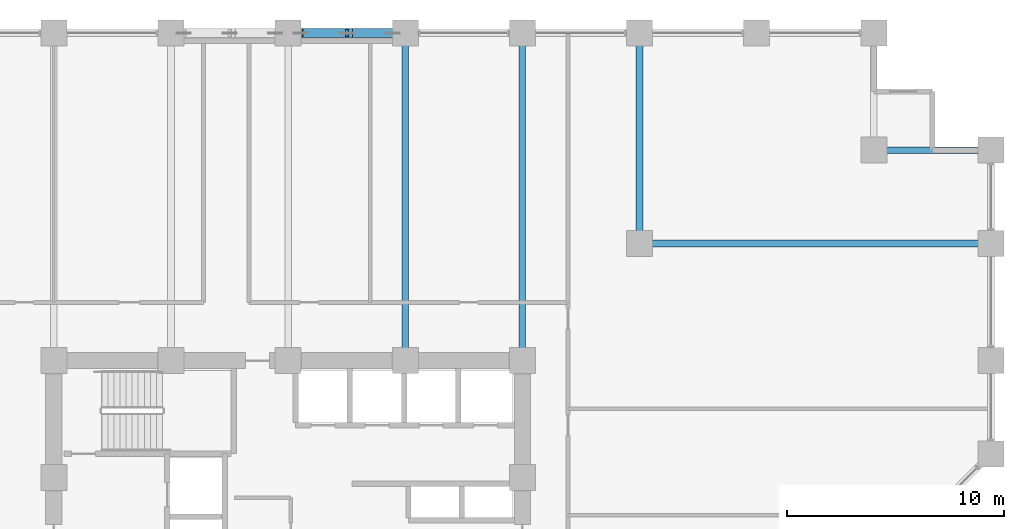
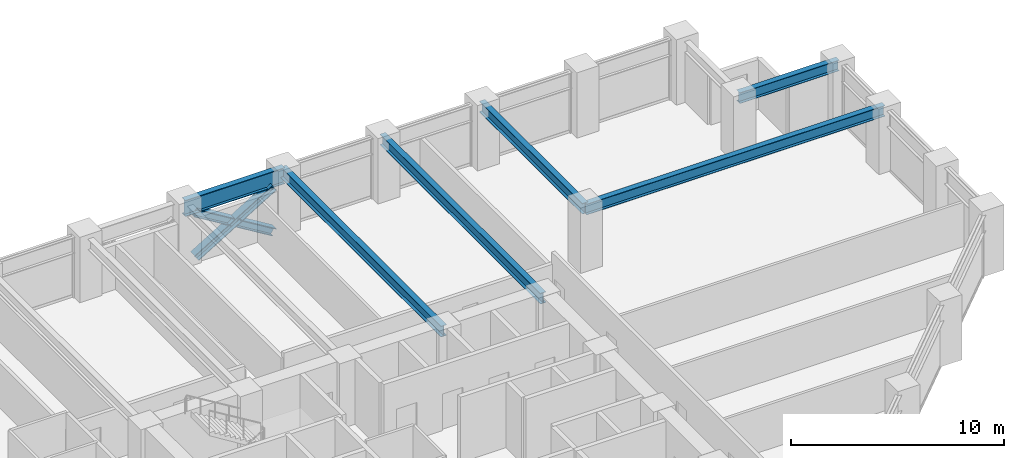
# One storey, part 14 of 26: 6 beams, 3 members.
"""IFC4 building model written with IfcOpenShell, lengths in metres."""

from ifc_helpers import new_model, si_unit, direction, frame, origin, origin_2d, place, context, subcontext, project, spatial, i_section, extrude, material, material_profile, profile_set, type_object, element, save


model = new_model("IFC4")

# Units and contexts
model_context = context("Model", 3, precision=1e-05, world=origin(), true_north=direction((0.0, 1.0)))
body_context = subcontext(model_context, "Body", "Model", "MODEL_VIEW")
ifc_project = project(units=[si_unit("LENGTHUNIT", "METRE"), si_unit("AREAUNIT", "SQUARE_METRE"), si_unit("VOLUMEUNIT", "CUBIC_METRE"), si_unit("PLANEANGLEUNIT", "RADIAN"), si_unit("MASSUNIT", "GRAM", prefix="KILO")], contexts=[model_context])

# Site, building, storey
site_placement = place(None, origin())
site = spatial("IfcSite", under=ifc_project, at=site_placement, CompositionType="ELEMENT")
building_placement = place(site_placement, origin())
building = spatial("IfcBuilding", under=site, at=building_placement, Name="Surkhivell Harbour Commons", CompositionType="ELEMENT")
storey_placement = place(building_placement, frame((0.0, 0.0, 75.0)))
storey = spatial("IfcBuildingStorey", under=building, at=storey_placement, Name="L19", CompositionType="ELEMENT", Elevation=75.0)

# Beams
ifc_material_1 = material(Name="Steel S355", Category="steel")
ifc_material_profile_1 = material_profile(ifc_material_1, i_section(OverallWidth=0.306884765625, OverallDepth=0.6201171875, WebThickness=0.01416015625, FlangeThickness=0.023681640625, at=origin_2d()), Name="UB610x305x179")
ifc_profile_set_1 = profile_set([ifc_material_profile_1], Name="Steel S355")
beam_type_1 = type_object("IfcBeamType", Name="BM-GRD-610A", PredefinedType="BEAM", material=ifc_profile_set_1)
for number, where, z_axis, x_axis, name in (
    (1, (5.39990234375, 10.800048828125, 3.18994140625), (0.0, 1.0, 0.0), (-1.0, 0.0, 0.0), "L19 Floor Girder (5.4,10.8)"),
    (2, (10.800048828125, 10.800048828125, 3.18994140625), (0.0, 1.0, 0.0), (-1.0, 0.0, 0.0), "L19 Floor Girder (10.8,10.8)"),
):
    element("IfcBeam", number, at=place(storey_placement, frame(where, z_axis=z_axis, x_axis=x_axis)), inside=storey, type_object=beam_type_1, Name=name, PredefinedType="BEAM", context=body_context, shape_type="SweptSolid", body=[
        extrude(i_section(OverallWidth=0.306884765625, OverallDepth=0.6201171875, WebThickness=0.01416015625, FlangeThickness=0.023681640625, at=origin_2d()), origin(), (0.0, 0.0, 1.0), 15.099853515625),
    ])
beam_1_placement = place(storey_placement, frame((16.199951171875, 16.199951171875, 3.18994140625), z_axis=(0.0, 1.0, 0.0), x_axis=(-1.0, 0.0, 0.0)))
element("IfcBeam", 3, at=beam_1_placement, inside=storey, type_object=beam_type_1, Name="L19 Floor Girder (16.2,16.2)", PredefinedType="BEAM", context=body_context, shape_type="SweptSolid", body=[
    extrude(i_section(OverallWidth=0.306884765625, OverallDepth=0.6201171875, WebThickness=0.01416015625, FlangeThickness=0.023681640625, at=origin_2d()), origin(), (0.0, 0.0, 1.0), 9.699951171875),
])
beam_2_placement = place(storey_placement, frame((16.199951171875, 16.199951171875, 3.18994140625), z_axis=(1.0, 0.0, 0.0), x_axis=(0.0, 1.0, 0.0)))
element("IfcBeam", 4, at=beam_2_placement, inside=storey, type_object=beam_type_1, Name="L19 Floor Girder (16.2,16.2)", PredefinedType="BEAM", context=body_context, shape_type="SweptSolid", body=[
    extrude(i_section(OverallWidth=0.306884765625, OverallDepth=0.6201171875, WebThickness=0.01416015625, FlangeThickness=0.023681640625, at=origin_2d()), origin(), (0.0, 0.0, 1.0), 16.199951171875),
])
beam_3_placement = place(storey_placement, frame((27.0, 20.5, 3.18994140625), z_axis=(1.0, 0.0, 0.0), x_axis=(0.0, 1.0, 0.0)))
element("IfcBeam", 5, at=beam_3_placement, inside=storey, type_object=beam_type_1, Name="L19 Floor Girder (27.0,20.5)", PredefinedType="BEAM", context=body_context, shape_type="SweptSolid", body=[
    extrude(i_section(OverallWidth=0.306884765625, OverallDepth=0.6201171875, WebThickness=0.01416015625, FlangeThickness=0.023681640625, at=origin_2d()), origin(), (0.0, 0.0, 1.0), 5.39990234375),
])
ifc_material_2 = material(Name="Steel S460", Category="steel")
ifc_material_profile_2 = material_profile(ifc_material_2, i_section(OverallWidth=0.30810546875, OverallDepth=0.927001953125, WebThickness=0.01953125, FlangeThickness=0.031982421875, at=origin_2d()), Name="UB914x305x289")
ifc_profile_set_2 = profile_set([ifc_material_profile_2], Name="Steel S460")
beam_type_2 = type_object("IfcBeamType", Name="BM-SPN-914B", PredefinedType="SPANDREL", material=ifc_profile_set_2)
beam_4_placement = place(storey_placement, frame((0.0, 25.89990234375, 3.03662109375), z_axis=(1.0, 0.0, 0.0), x_axis=(0.0, 1.0, 0.0)))
element("IfcBeam", 6, at=beam_4_placement, inside=storey, type_object=beam_type_2, Name="L19 Tube Spandrel (-0.0,25.9)", PredefinedType="SPANDREL", context=body_context, shape_type="SweptSolid", body=[
    extrude(i_section(OverallWidth=0.30810546875, OverallDepth=0.927001953125, WebThickness=0.01953125, FlangeThickness=0.031982421875, at=origin_2d()), origin(), (0.0, 0.0, 1.0), 5.39990234375),
])

# Members
ifc_material_profile_3 = material_profile(ifc_material_2, i_section(OverallWidth=0.406005859375, OverallDepth=0.416015625, WebThickness=0.026611328125, FlangeThickness=0.0390625, at=origin_2d()), Name="HD400x382")
ifc_profile_set_3 = profile_set([ifc_material_profile_3], Name="Steel S460")
member_type = type_object("IfcMemberType", Name="MEM-BRC-HD382", PredefinedType="BRACE", material=ifc_profile_set_3)
member_placement = place(storey_placement, frame((0.5849609375, 25.89990234375, 0.008056640625), z_axis=(0.854729672163, 0.0, 0.519073393195), x_axis=(0.0, 1.0, 0.0)))
element("IfcMember", 7, at=member_placement, inside=storey, type_object=member_type, Name="L19 Perimeter Mega-Brace MB- 04", PredefinedType="BRACE", context=body_context, shape_type="SweptSolid", body=[
    extrude(i_section(OverallWidth=0.406005859375, OverallDepth=0.416015625, WebThickness=0.026611328125, FlangeThickness=0.0390625, at=origin_2d()), origin(), (0.0, 0.0, 1.0), 4.948974609375),
])
for number, where, z_axis, x_axis, name in (
    (8, (4.81494140625, 25.89990234375, 0.008056640625), (-0.85475350478, 0.0, 0.519034147302), (0.0, -1.0, 0.0), "L19 Perimeter Mega-Brace MB- 05"),
    (9, (2.529296875, 25.89990234375, 1.396240234375), (-0.85475350478, 0.0, 0.519034147302), (0.0, -1.0, 0.0), "L19 Perimeter Mega-Brace MB- 06"),
):
    element("IfcMember", number, at=place(storey_placement, frame(where, z_axis=z_axis, x_axis=x_axis)), inside=storey, type_object=member_type, Name=name, PredefinedType="BRACE", context=body_context, shape_type="SweptSolid", body=[
        extrude(i_section(OverallWidth=0.406005859375, OverallDepth=0.416015625, WebThickness=0.026611328125, FlangeThickness=0.0390625, at=origin_2d()), origin(), (0.0, 0.0, 1.0), 2.274658203125),
    ])

save(model, "model.ifc")
